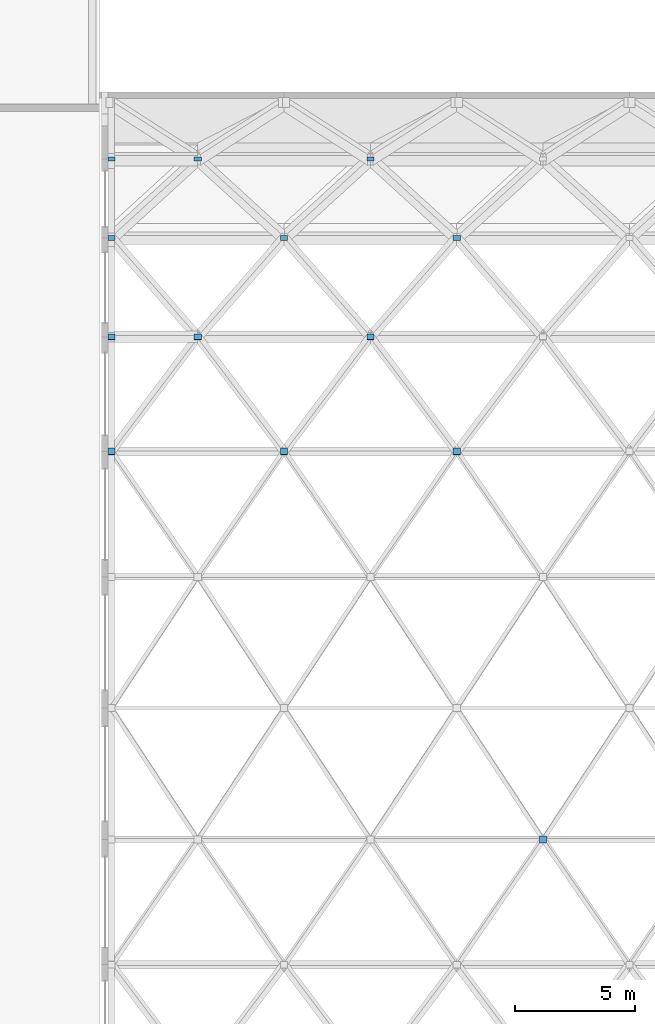
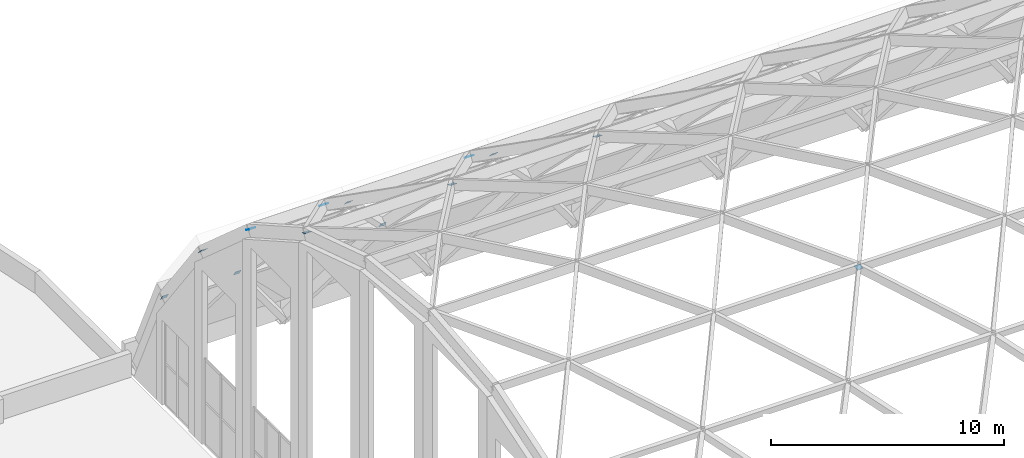
# One storey, part 40 of 52: 13 discrete accessories.
"""IFC4 building model written with IfcOpenShell, lengths in metres."""

from ifc_helpers import new_model, si_unit, direction, frame, origin, origin_2d, place, context, subcontext, project, spatial, rectangle, extrude, material, material_profile, profile_set, type_object, element, save


model = new_model("IFC4")

# Units and contexts
model_context = context("Model", 3, precision=1e-05, world=origin(), true_north=direction((0.0, 1.0)))
body_context = subcontext(model_context, "Body", "Model", "MODEL_VIEW")
ifc_project = project(units=[si_unit("LENGTHUNIT", "METRE"), si_unit("AREAUNIT", "SQUARE_METRE"), si_unit("VOLUMEUNIT", "CUBIC_METRE"), si_unit("PLANEANGLEUNIT", "RADIAN"), si_unit("MASSUNIT", "GRAM", prefix="KILO")], contexts=[model_context])

# Site, building, storey
site_placement = place(None, origin())
site = spatial("IfcSite", under=ifc_project, at=site_placement, CompositionType="ELEMENT")
building_placement = place(site_placement, origin())
building = spatial("IfcBuilding", under=site, at=building_placement, Name="Vermilion Court Aquatics Centre", CompositionType="ELEMENT")
storey_placement = place(building_placement, frame((0.0, 0.0, 12.0)))
storey = spatial("IfcBuildingStorey", under=building, at=storey_placement, Name="L02", CompositionType="ELEMENT", Elevation=12.0)

# Discrete accessories
ifc_material = material(Name="Stainless steel 1.4547, 1.4529 or 1.4565", Category="steel")
ifc_material_profile = material_profile(ifc_material, rectangle(XDim=0.300048828125, YDim=0.300048828125, at=origin_2d()), Name="PL 12 x 300 x 300")
ifc_profile_set = profile_set([ifc_material_profile], Name="Stainless steel 1.4547, 1.4529 or 1.4565")
discrete_accessory_type = type_object("IfcDiscreteAccessoryType", Name="Gridshell node plate", PredefinedType="BRACKET", material=ifc_profile_set)
discrete_accessory_placement = place(storey_placement, frame((32.39990234375, 34.13134765625, 17.676025390625), z_axis=(0.0, -0.219038342307, 0.975716252094), x_axis=(1.0, 0.0, 0.0)))
element("IfcDiscreteAccessory", 1, at=discrete_accessory_placement, inside=storey, type_object=discrete_accessory_type, Name="Gridshell node plate NP1 05-03", PredefinedType="BRACKET", context=body_context, shape_type="SweptSolid", body=[
    extrude(rectangle(XDim=0.300048828125, YDim=0.300048828125, at=origin_2d()), origin(), (0.0, 0.0, 1.0), 0.01220703125),
])
for number, where, z_axis, x_axis, name in (
    (2, (14.39990234375, 50.297607421875, 16.00146484375), (0.0, 0.406138466053, 0.91381154862), (-1.0, 0.0, 0.0), "Gridshell node plate NP1 08-00"),
    (3, (21.60009765625, 50.297607421875, 16.00146484375), (0.0, 0.406138466053, 0.91381154862), (-1.0, 0.0, 0.0), "Gridshell node plate NP1 08-01"),
    (4, (28.800048828125, 50.297607421875, 16.00146484375), (0.0, 0.406138466053, 0.91381154862), (-1.0, 0.0, 0.0), "Gridshell node plate NP1 08-02"),
    (5, (14.39990234375, 55.076416015625, 13.2861328125), (0.0, 0.586967571461, 0.809610443394), (-1.0, 0.0, 0.0), "Gridshell node plate NP1 09-00"),
    (6, (18.0, 55.076416015625, 13.2861328125), (0.0, 0.586967571461, 0.809610443394), (-1.0, 0.0, 0.0), "Gridshell node plate NP1 09-01"),
    (7, (25.199951171875, 55.076416015625, 13.2861328125), (0.0, 0.586967571461, 0.809610443394), (-1.0, 0.0, 0.0), "Gridshell node plate NP1 09-02"),
    (8, (14.39990234375, 59.195556640625, 9.64794921875), (0.0, 0.737154140201, 0.675724628517), (-1.0, 0.0, 0.0), "Gridshell node plate NP1 10-00"),
    (9, (21.60009765625, 59.195556640625, 9.64794921875), (0.0, 0.737154140201, 0.675724628517), (-1.0, 0.0, 0.0), "Gridshell node plate NP1 10-01"),
    (10, (28.800048828125, 59.195556640625, 9.64794921875), (0.0, 0.737154140201, 0.675724628517), (-1.0, 0.0, 0.0), "Gridshell node plate NP1 10-02"),
    (11, (14.39990234375, 62.48486328125, 5.23583984375), (0.0, 0.850265146688, 0.526354614616), (-1.0, 0.0, 0.0), "Gridshell node plate NP1 11-00"),
    (12, (18.0, 62.48486328125, 5.23583984375), (0.0, 0.850265146688, 0.526354614616), (-1.0, 0.0, 0.0), "Gridshell node plate NP1 11-01"),
    (13, (25.199951171875, 62.48486328125, 5.23583984375), (0.0, 0.850265146688, 0.526354614616), (-1.0, 0.0, 0.0), "Gridshell node plate NP1 11-02"),
):
    element("IfcDiscreteAccessory", number, at=place(storey_placement, frame(where, z_axis=z_axis, x_axis=x_axis)), inside=storey, type_object=discrete_accessory_type, Name=name, PredefinedType="BRACKET", context=body_context, shape_type="SweptSolid", body=[
        extrude(rectangle(XDim=0.300048828125, YDim=0.300048828125, at=origin_2d()), origin(), (0.0, 0.0, 1.0), 0.011962890625),
    ])

save(model, "model.ifc")
